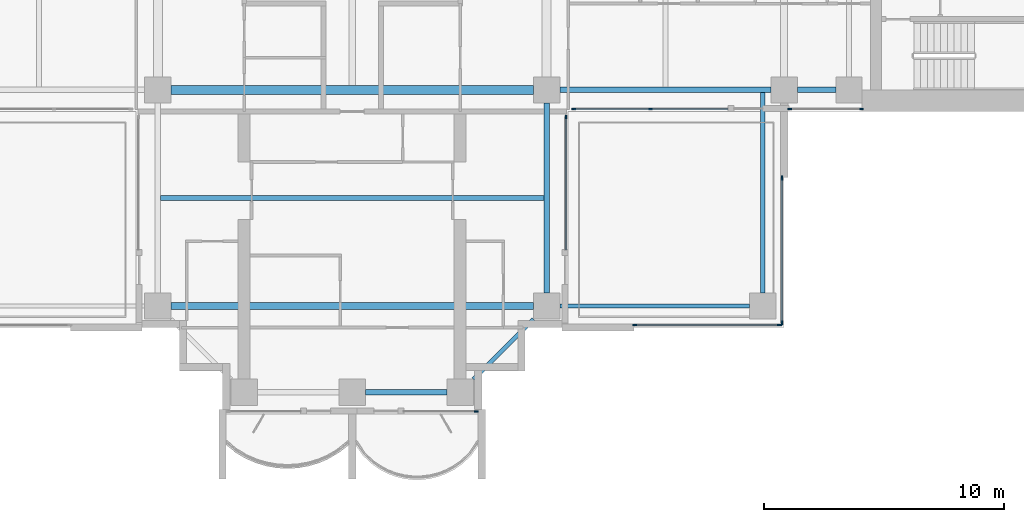
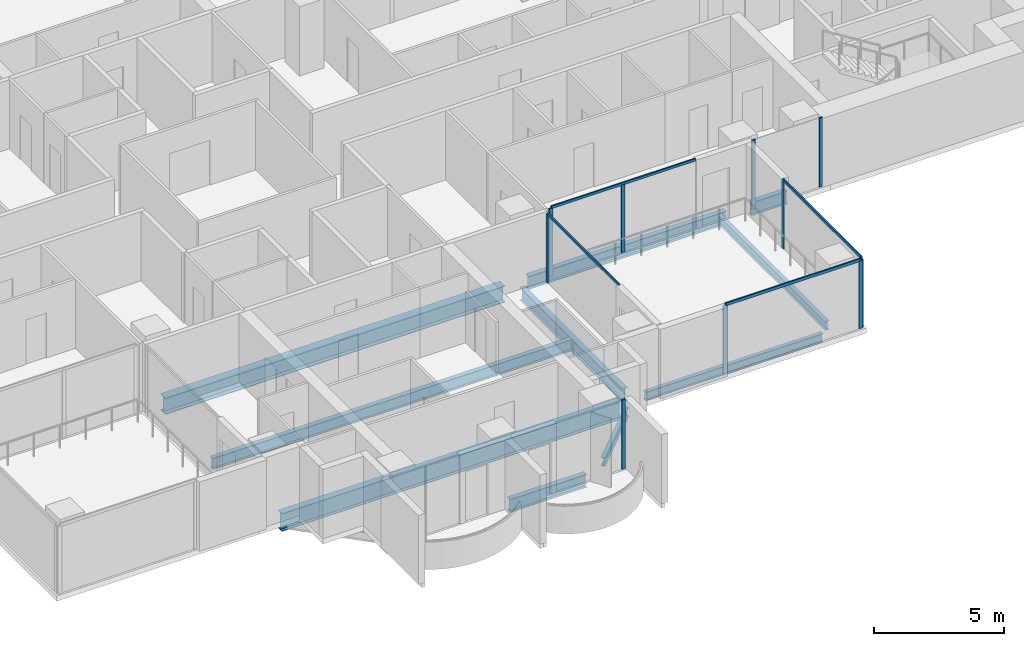
# One storey, part 3 of 18: 14 members, 10 beams, 6 elements without a shape of their own.
"""IFC4 building model written with IfcOpenShell, lengths in metres."""

from ifc_helpers import new_model, si_unit, direction, frame, origin, origin_2d, place, context, subcontext, project, spatial, rectangle, i_section, extrude, material, material_profile, profile_set, type_object, element, aggregate, save


model = new_model("IFC4")

# Units and contexts
model_context = context("Model", 3, precision=1e-05, world=origin(), true_north=direction((0.0, 1.0)))
body_context = subcontext(model_context, "Body", "Model", "MODEL_VIEW")
ifc_project = project(units=[si_unit("LENGTHUNIT", "METRE"), si_unit("AREAUNIT", "SQUARE_METRE"), si_unit("VOLUMEUNIT", "CUBIC_METRE"), si_unit("PLANEANGLEUNIT", "RADIAN"), si_unit("MASSUNIT", "GRAM", prefix="KILO")], contexts=[model_context])

# Site, building, storey
site_placement = place(None, origin())
site = spatial("IfcSite", under=ifc_project, at=site_placement, CompositionType="ELEMENT")
building_placement = place(site_placement, origin())
building = spatial("IfcBuilding", under=site, at=building_placement, Name="Perihelion Cross Residences", CompositionType="ELEMENT")
storey_placement = place(building_placement, frame((0.0, 0.0, 140.89990234375)))
storey = spatial("IfcBuildingStorey", under=building, at=storey_placement, Name="L34", CompositionType="ELEMENT", Elevation=140.89990234375)

# Curtain wall, member
ifc_material_1 = material(Name="Bronze anodised aluminium, tinted glazing", Category="aluminium")
curtain_wall_type_1 = type_object("IfcCurtainWallType", Name="CW1", PredefinedType="NOTDEFINED", material=ifc_material_1)
curtain_wall_1_placement = place(storey_placement, origin())
curtain_wall_1 = element("IfcCurtainWall", 1, at=curtain_wall_1_placement, inside=storey, type_object=curtain_wall_type_1, Name="Curtain wall CW1 L34 south tip south bay 2", PredefinedType="NOTDEFINED")
ifc_material_2 = material(Name="Bronze anodised aluminium", Category="aluminium")
ifc_material_profile_1 = material_profile(ifc_material_2, rectangle(XDim=0.06005859375, YDim=0.159912109375, at=origin_2d()), Name="CW1 mullion")
ifc_profile_set_1 = profile_set([ifc_material_profile_1], Name="Bronze anodised aluminium")
member_type_1 = type_object("IfcMemberType", Name="CW1 mullion", PredefinedType="MULLION", material=ifc_profile_set_1)
member_1_placement = place(storey_placement, frame((5.169921875, -21.5, 0.0), z_axis=(0.0, 0.0, 1.0), x_axis=(0.0, 1.0, 0.0)))
member_1 = element("IfcMember", 2, at=member_1_placement, type_object=member_type_1, Name="CW1 mullion 2", PredefinedType="MULLION", context=body_context, shape_type="SweptSolid", body=[
    extrude(rectangle(XDim=0.06005859375, YDim=0.159912109375, at=origin_2d()), origin(), (0.0, 0.0, 1.0), 3.25),
])
aggregate(curtain_wall_1, [member_1])

curtain_wall_2_placement = place(storey_placement, origin())
curtain_wall_2 = element("IfcCurtainWall", 3, at=curtain_wall_2_placement, inside=storey, type_object=curtain_wall_type_1, Name="Curtain wall CW1 L34 south side east bay 1", PredefinedType="NOTDEFINED")
member_2_placement = place(storey_placement, frame((8.89990234375, -9.22998046875, 0.0), z_axis=(0.0, 0.0, 1.0), x_axis=(-1.0, 0.0, 0.0)))
member_2 = element("IfcMember", 4, at=member_2_placement, type_object=member_type_1, Name="CW1 mullion 2", PredefinedType="MULLION", context=body_context, shape_type="SweptSolid", body=[
    extrude(rectangle(XDim=0.06005859375, YDim=0.159912109375, at=origin_2d()), origin(), (0.0, 0.0, 1.0), 3.190185546875),
])

# Curtain wall, members
curtain_wall_3_placement = place(storey_placement, origin())
curtain_wall_3 = element("IfcCurtainWall", 5, at=curtain_wall_3_placement, inside=storey, type_object=curtain_wall_type_1, Name="Curtain wall CW1 L34 east side south bay 1", PredefinedType="NOTDEFINED")
member_3_placement = place(storey_placement, frame((9.22998046875, -8.89990234375, 0.0), z_axis=(0.0, 0.0, 1.0), x_axis=(0.0, 1.0, 0.0)))
member_3 = element("IfcMember", 6, at=member_3_placement, type_object=member_type_1, Name="CW1 mullion 1", PredefinedType="MULLION", context=body_context, shape_type="SweptSolid", body=[
    extrude(rectangle(XDim=0.06005859375, YDim=0.159912109375, at=origin_2d()), origin(), (0.0, 0.0, 1.0), 3.190185546875),
])
member_4_placement = place(storey_placement, frame((12.425048828125, -8.89990234375, 0.0), z_axis=(0.0, 0.0, 1.0), x_axis=(0.0, 1.0, 0.0)))
member_4 = element("IfcMember", 7, at=member_4_placement, type_object=member_type_1, Name="CW1 mullion 2", PredefinedType="MULLION", context=body_context, shape_type="SweptSolid", body=[
    extrude(rectangle(XDim=0.06005859375, YDim=0.159912109375, at=origin_2d()), origin(), (0.0, 0.0, 1.0), 3.190185546875),
])

curtain_wall_4_placement = place(storey_placement, origin())
curtain_wall_4 = element("IfcCurtainWall", 8, at=curtain_wall_4_placement, inside=storey, type_object=curtain_wall_type_1, Name="Curtain wall CW1 L34 east side south bay 2", PredefinedType="NOTDEFINED")
member_5_placement = place(storey_placement, frame((18.22998046875, -8.89990234375, 0.0), z_axis=(0.0, 0.0, 1.0), x_axis=(0.0, 1.0, 0.0)))
member_5 = element("IfcMember", 9, at=member_5_placement, type_object=member_type_1, Name="CW1 mullion 1", PredefinedType="MULLION", context=body_context, shape_type="SweptSolid", body=[
    extrude(rectangle(XDim=0.06005859375, YDim=0.159912109375, at=origin_2d()), origin(), (0.0, 0.0, 1.0), 3.25),
])
member_6_placement = place(storey_placement, frame((21.219970703125, -8.89990234375, 0.0), z_axis=(0.0, 0.0, 1.0), x_axis=(0.0, 1.0, 0.0)))
member_6 = element("IfcMember", 10, at=member_6_placement, type_object=member_type_1, Name="CW1 mullion 2", PredefinedType="MULLION", context=body_context, shape_type="SweptSolid", body=[
    extrude(rectangle(XDim=0.06005859375, YDim=0.159912109375, at=origin_2d()), origin(), (0.0, 0.0, 1.0), 3.25),
])
aggregate(curtain_wall_4, [member_5, member_6])

# Member
ifc_material_3 = material(Name="Bronze anodised aluminium", Category="aluminium")
ifc_material_profile_2 = material_profile(ifc_material_3, rectangle(XDim=0.06005859375, YDim=0.1201171875, at=origin_2d()), Name="CW1 transom")
ifc_profile_set_2 = profile_set([ifc_material_profile_2], Name="Bronze anodised aluminium")
member_type_2 = type_object("IfcMemberType", Name="CW1 transom", PredefinedType="USERDEFINED", material=ifc_profile_set_2)
member_7_placement = place(storey_placement, frame((8.89990234375, -14.75, 3.22021484375), z_axis=(0.0, 1.0, 0.0), x_axis=(-1.0, 0.0, 0.0)))
member_7 = element("IfcMember", 11, at=member_7_placement, type_object=member_type_2, Name="CW1 head transom", ObjectType="TRANSOM", PredefinedType="USERDEFINED", context=body_context, shape_type="SweptSolid", body=[
    extrude(rectangle(XDim=0.06005859375, YDim=0.1201171875, at=origin_2d()), origin(), (0.0, 0.0, 1.0), 5.52001953125),
])

aggregate(curtain_wall_2, [member_2, member_7])

member_8_placement = place(storey_placement, frame((9.22998046875, -8.89990234375, 3.22021484375), z_axis=(1.0, 0.0, 0.0), x_axis=(0.0, 1.0, 0.0)))
member_8 = element("IfcMember", 12, at=member_8_placement, type_object=member_type_2, Name="CW1 head transom", ObjectType="TRANSOM", PredefinedType="USERDEFINED", context=body_context, shape_type="SweptSolid", body=[
    extrude(rectangle(XDim=0.06005859375, YDim=0.1201171875, at=origin_2d()), origin(), (0.0, 0.0, 1.0), 6.419921875),
])

aggregate(curtain_wall_3, [member_3, member_4, member_8])

# Curtain wall, members
ifc_material_4 = material(Name="Bronze anodised aluminium, tinted glazing", Category="aluminium")
curtain_wall_type_2 = type_object("IfcCurtainWallType", Name="CW4", PredefinedType="NOTDEFINED", material=ifc_material_4)
curtain_wall_5_placement = place(storey_placement, origin())
curtain_wall_5 = element("IfcCurtainWall", 13, at=curtain_wall_5_placement, inside=storey, type_object=curtain_wall_type_2, Name="Curtain wall CW4 L34 pocket south-east 1 1", PredefinedType="NOTDEFINED")
ifc_material_5 = material(Name="Bronze anodised aluminium", Category="aluminium")
ifc_material_profile_3 = material_profile(ifc_material_5, rectangle(XDim=0.06005859375, YDim=0.179931640625, at=origin_2d()), Name="CW4 mullion")
ifc_profile_set_3 = profile_set([ifc_material_profile_3], Name="Bronze anodised aluminium")
member_type_3 = type_object("IfcMemberType", Name="CW4 mullion", PredefinedType="MULLION", material=ifc_profile_set_3)
member_9_placement = place(storey_placement, frame((17.89990234375, -11.77001953125, 0.0), z_axis=(0.0, 0.0, 1.0), x_axis=(1.0, 0.0, 0.0)))
member_9 = element("IfcMember", 14, at=member_9_placement, type_object=member_type_3, Name="CW4 mullion 1", PredefinedType="MULLION", context=body_context, shape_type="SweptSolid", body=[
    extrude(rectangle(XDim=0.06005859375, YDim=0.179931640625, at=origin_2d()), origin(), (0.0, 0.0, 1.0), 3.190185546875),
])
member_10_placement = place(storey_placement, frame((17.89990234375, -17.800048828125, 0.0), z_axis=(0.0, 0.0, 1.0), x_axis=(1.0, 0.0, 0.0)))
member_10 = element("IfcMember", 15, at=member_10_placement, type_object=member_type_3, Name="CW4 mullion 2", PredefinedType="MULLION", context=body_context, shape_type="SweptSolid", body=[
    extrude(rectangle(XDim=0.06005859375, YDim=0.179931640625, at=origin_2d()), origin(), (0.0, 0.0, 1.0), 3.190185546875),
])

curtain_wall_6_placement = place(storey_placement, origin())
curtain_wall_6 = element("IfcCurtainWall", 16, at=curtain_wall_6_placement, inside=storey, type_object=curtain_wall_type_2, Name="Curtain wall CW4 L34 pocket south-east 1 2", PredefinedType="NOTDEFINED")
member_11_placement = place(storey_placement, frame((17.800048828125, -17.89990234375, 0.0), z_axis=(0.0, 0.0, 1.0), x_axis=(0.0, -1.0, 0.0)))
member_11 = element("IfcMember", 17, at=member_11_placement, type_object=member_type_3, Name="CW4 mullion 1", PredefinedType="MULLION", context=body_context, shape_type="SweptSolid", body=[
    extrude(rectangle(XDim=0.06005859375, YDim=0.179931640625, at=origin_2d()), origin(), (0.0, 0.0, 1.0), 3.190185546875),
])
member_12_placement = place(storey_placement, frame((11.77001953125, -17.89990234375, 0.0), z_axis=(0.0, 0.0, 1.0), x_axis=(0.0, -1.0, 0.0)))
member_12 = element("IfcMember", 18, at=member_12_placement, type_object=member_type_3, Name="CW4 mullion 2", PredefinedType="MULLION", context=body_context, shape_type="SweptSolid", body=[
    extrude(rectangle(XDim=0.06005859375, YDim=0.179931640625, at=origin_2d()), origin(), (0.0, 0.0, 1.0), 3.190185546875),
])

# Member
ifc_material_6 = material(Name="Bronze anodised aluminium", Category="aluminium")
ifc_material_profile_4 = material_profile(ifc_material_6, rectangle(XDim=0.06005859375, YDim=0.139892578125, at=origin_2d()), Name="CW4 transom")
ifc_profile_set_4 = profile_set([ifc_material_profile_4], Name="Bronze anodised aluminium")
member_type_4 = type_object("IfcMemberType", Name="CW4 transom", PredefinedType="USERDEFINED", material=ifc_profile_set_4)
member_13_placement = place(storey_placement, frame((17.89990234375, -11.77001953125, 3.22021484375), z_axis=(0.0, -1.0, 0.0), x_axis=(1.0, 0.0, 0.0)))
member_13 = element("IfcMember", 19, at=member_13_placement, type_object=member_type_4, Name="CW4 head transom", ObjectType="TRANSOM", PredefinedType="USERDEFINED", context=body_context, shape_type="SweptSolid", body=[
    extrude(rectangle(XDim=0.06005859375, YDim=0.139892578125, at=origin_2d()), origin(), (0.0, 0.0, 1.0), 6.030029296875),
])

aggregate(curtain_wall_5, [member_9, member_10, member_13])

member_14_placement = place(storey_placement, frame((17.800048828125, -17.89990234375, 3.22021484375), z_axis=(-1.0, 0.0, 0.0), x_axis=(0.0, -1.0, 0.0)))
member_14 = element("IfcMember", 20, at=member_14_placement, type_object=member_type_4, Name="CW4 head transom", ObjectType="TRANSOM", PredefinedType="USERDEFINED", context=body_context, shape_type="SweptSolid", body=[
    extrude(rectangle(XDim=0.06005859375, YDim=0.139892578125, at=origin_2d()), origin(), (0.0, 0.0, 1.0), 6.030029296875),
])

aggregate(curtain_wall_6, [member_11, member_12, member_14])

# Beams
ifc_material_7 = material(Name="Steel S355", Category="steel")
ifc_material_profile_5 = material_profile(ifc_material_7, i_section(OverallWidth=0.177978515625, OverallDepth=0.406005859375, WebThickness=0.0078125, FlangeThickness=0.0126953125, at=origin_2d()), Name="W410x60")
ifc_profile_set_5 = profile_set([ifc_material_profile_5], Name="Steel S355")
beam_type_1 = type_object("IfcBeamType", Name="Core edge beam W410x60", PredefinedType="BEAM", material=ifc_profile_set_5)
beam_1_placement = place(storey_placement, frame((17.10009765625, -8.214599609375, -0.452880859375), z_axis=(0.0, -1.0, 0.0), x_axis=(1.0, 0.0, 0.0)))
element("IfcBeam", 21, at=beam_1_placement, inside=storey, type_object=beam_type_1, Name="Core edge beam TB2 L34 corner no. 5", PredefinedType="BEAM", context=body_context, shape_type="SweptSolid", body=[
    extrude(i_section(OverallWidth=0.177978515625, OverallDepth=0.406005859375, WebThickness=0.0078125, FlangeThickness=0.0126953125, at=origin_2d()), origin(), (0.0, 0.0, 1.0), 8.33544921875),
])
beam_2_placement = place(storey_placement, frame((8.64990234375, -17.10009765625, -0.452880859375), z_axis=(1.0, 0.0, 0.0), x_axis=(0.0, 1.0, 0.0)))
element("IfcBeam", 22, at=beam_2_placement, inside=storey, type_object=beam_type_1, Name="Core edge beam TB2 L34 corner no. 6", PredefinedType="BEAM", context=body_context, shape_type="SweptSolid", body=[
    extrude(i_section(OverallWidth=0.177978515625, OverallDepth=0.406005859375, WebThickness=0.0078125, FlangeThickness=0.0126953125, at=origin_2d()), origin(), (0.0, 0.0, 1.0), 7.900146484375),
])
ifc_material_8 = material(Name="Steel S355", Category="steel")
ifc_material_profile_6 = material_profile(ifc_material_8, i_section(OverallWidth=0.22900390625, OverallDepth=0.612060546875, WebThickness=0.011962890625, FlangeThickness=0.01953125, at=origin_2d()), Name="W610x125")
ifc_profile_set_6 = profile_set([ifc_material_profile_6], Name="Steel S355")
beam_type_2 = type_object("IfcBeamType", Name="Edge beam W610x125", PredefinedType="SPANDREL", material=ifc_profile_set_6)
beam_3_placement = place(storey_placement, frame((0.550048828125, -20.699951171875, -0.555908203125), z_axis=(1.0, 0.0, 0.0), x_axis=(0.0, 1.0, 0.0)))
element("IfcBeam", 23, at=beam_3_placement, inside=storey, type_object=beam_type_2, Name="Edge beam SB3 L34 no. 9", PredefinedType="SPANDREL", context=body_context, shape_type="SweptSolid", body=[
    extrude(i_section(OverallWidth=0.22900390625, OverallDepth=0.612060546875, WebThickness=0.011962890625, FlangeThickness=0.01953125, at=origin_2d()), origin(), (0.0, 0.0, 1.0), 3.39990234375),
])
beam_4_placement = place(storey_placement, frame((8.10009765625, -16.550048828125, -0.555908203125), z_axis=(0.0, 1.0, 0.0), x_axis=(-1.0, 0.0, 0.0)))
element("IfcBeam", 24, at=beam_4_placement, inside=storey, type_object=beam_type_2, Name="Edge beam SB3 L34 no. 15", PredefinedType="SPANDREL", context=body_context, shape_type="SweptSolid", body=[
    extrude(i_section(OverallWidth=0.22900390625, OverallDepth=0.612060546875, WebThickness=0.011962890625, FlangeThickness=0.01953125, at=origin_2d()), origin(), (0.0, 0.0, 1.0), 7.900146484375),
])
beam_5_placement = place(storey_placement, frame((8.64990234375, -8.10009765625, -0.555908203125), z_axis=(1.0, 0.0, 0.0), x_axis=(0.0, 1.0, 0.0)))
element("IfcBeam", 25, at=beam_5_placement, inside=storey, type_object=beam_type_2, Name="Edge beam SB3 L34 no. 16", PredefinedType="SPANDREL", context=body_context, shape_type="SweptSolid", body=[
    extrude(i_section(OverallWidth=0.22900390625, OverallDepth=0.612060546875, WebThickness=0.011962890625, FlangeThickness=0.01953125, at=origin_2d()), origin(), (0.0, 0.0, 1.0), 8.800048828125),
])
beam_6_placement = place(storey_placement, frame((18.550048828125, -8.10009765625, -0.555908203125), z_axis=(1.0, 0.0, 0.0), x_axis=(0.0, 1.0, 0.0)))
element("IfcBeam", 26, at=beam_6_placement, inside=storey, type_object=beam_type_2, Name="Edge beam SB3 L34 no. 11", PredefinedType="SPANDREL", context=body_context, shape_type="SweptSolid", body=[
    extrude(i_section(OverallWidth=0.22900390625, OverallDepth=0.612060546875, WebThickness=0.011962890625, FlangeThickness=0.01953125, at=origin_2d()), origin(), (0.0, 0.0, 1.0), 1.599853515625),
])
ifc_material_9 = material(Name="Steel S355", Category="steel")
ifc_material_profile_7 = material_profile(ifc_material_9, i_section(OverallWidth=0.2919921875, OverallDepth=0.8359375, WebThickness=0.013916015625, FlangeThickness=0.018798828125, at=origin_2d()), Name="W840x176")
ifc_profile_set_7 = profile_set([ifc_material_profile_7], Name="Steel S355")
beam_type_3 = type_object("IfcBeamType", Name="Floor girder W840x176", PredefinedType="BEAM", material=ifc_profile_set_7)
beam_7_placement = place(storey_placement, frame((-7.550048828125, -17.10009765625, -0.66796875), z_axis=(1.0, 0.0, 0.0), x_axis=(0.0, 1.0, 0.0)))
element("IfcBeam", 27, at=beam_7_placement, inside=storey, type_object=beam_type_3, Name="Girder G3 L34 no. 3", PredefinedType="BEAM", context=body_context, shape_type="SweptSolid", body=[
    extrude(i_section(OverallWidth=0.2919921875, OverallDepth=0.8359375, WebThickness=0.013916015625, FlangeThickness=0.018798828125, at=origin_2d()), origin(), (0.0, 0.0, 1.0), 15.10009765625),
])
ifc_material_10 = material(Name="Steel S355", Category="steel")
ifc_material_profile_8 = material_profile(ifc_material_10, i_section(OverallWidth=0.208984375, OverallDepth=0.532958984375, WebThickness=0.01025390625, FlangeThickness=0.015625, at=origin_2d()), Name="W530x92")
ifc_profile_set_8 = profile_set([ifc_material_profile_8], Name="Steel S355")
beam_type_4 = type_object("IfcBeamType", Name="Floor joist W530x92", PredefinedType="JOIST", material=ifc_profile_set_8)
beam_8_placement = place(storey_placement, frame((-7.985595703125, -12.60009765625, -0.516357421875), z_axis=(1.0, 0.0, 0.0), x_axis=(0.0, 1.0, 0.0)))
element("IfcBeam", 28, at=beam_8_placement, inside=storey, type_object=beam_type_4, Name="Joist J4 L34 no. 3", PredefinedType="JOIST", context=body_context, shape_type="SweptSolid", body=[
    extrude(i_section(OverallWidth=0.208984375, OverallDepth=0.532958984375, WebThickness=0.01025390625, FlangeThickness=0.015625, at=origin_2d()), origin(), (0.0, 0.0, 1.0), 15.97119140625),
])
ifc_material_11 = material(Name="Steel S355", Category="steel")
ifc_material_profile_9 = material_profile(ifc_material_11, i_section(OverallWidth=0.381103515625, OverallDepth=0.77197265625, WebThickness=0.0166015625, FlangeThickness=0.027099609375, at=origin_2d()), Name="W760x257")
ifc_profile_set_9 = profile_set([ifc_material_profile_9], Name="Steel S355")
beam_type_5 = type_object("IfcBeamType", Name="Hub ring girder W760x257", PredefinedType="BEAM", material=ifc_profile_set_9)
beam_9_placement = place(storey_placement, frame((-7.550048828125, -8.10009765625, -0.635986328125), z_axis=(1.0, 0.0, 0.0), x_axis=(0.0, 1.0, 0.0)))
element("IfcBeam", 29, at=beam_9_placement, inside=storey, type_object=beam_type_5, Name="Hub ring girder RG3 L34 no. 1", PredefinedType="BEAM", context=body_context, shape_type="SweptSolid", body=[
    extrude(i_section(OverallWidth=0.381103515625, OverallDepth=0.77197265625, WebThickness=0.0166015625, FlangeThickness=0.027099609375, at=origin_2d()), origin(), (0.0, 0.0, 1.0), 15.10009765625),
])
ifc_material_12 = material(Name="Steel S355", Category="steel")
ifc_material_profile_10 = material_profile(ifc_material_12, i_section(OverallWidth=0.180908203125, OverallDepth=0.4169921875, WebThickness=0.010986328125, FlangeThickness=0.018310546875, at=origin_2d()), Name="W410x85")
ifc_profile_set_10 = profile_set([ifc_material_profile_10], Name="Steel S355")
beam_type_6 = type_object("IfcBeamType", Name="Serration edge beam W410x85", PredefinedType="BEAM", material=ifc_profile_set_10)
beam_10_placement = place(storey_placement, frame((5.050048828125, -20.14990234375, -0.45849609375), z_axis=(0.707106781187, 0.707106781187, 0.0), x_axis=(-0.707106781187, 0.707106781187, 0.0)))
element("IfcBeam", 30, at=beam_10_placement, inside=storey, type_object=beam_type_6, Name="Serration edge beam EB3 L34 no. 3", PredefinedType="BEAM", context=body_context, shape_type="SweptSolid", body=[
    extrude(i_section(OverallWidth=0.180908203125, OverallDepth=0.4169921875, WebThickness=0.010986328125, FlangeThickness=0.018310546875, at=origin_2d()), origin(), (0.0, 0.0, 1.0), 3.53564453125),
])

save(model, "model.ifc")
